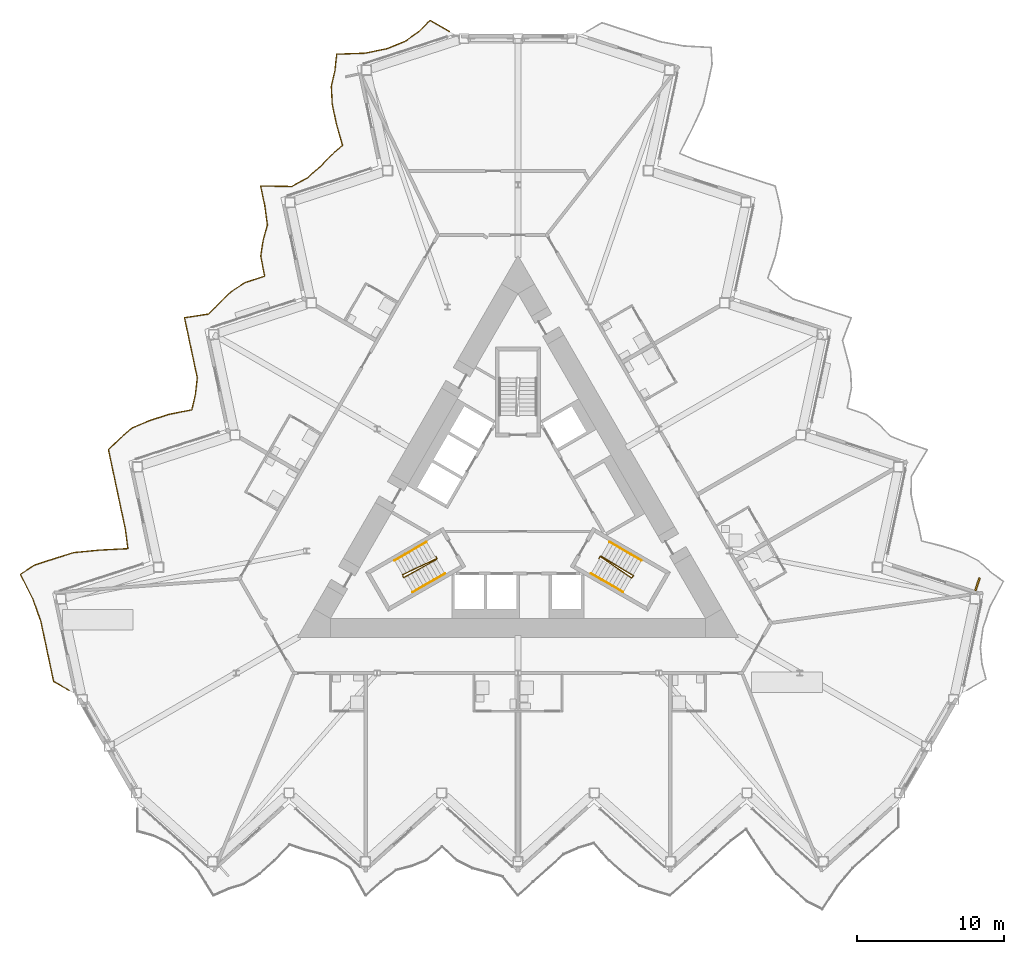
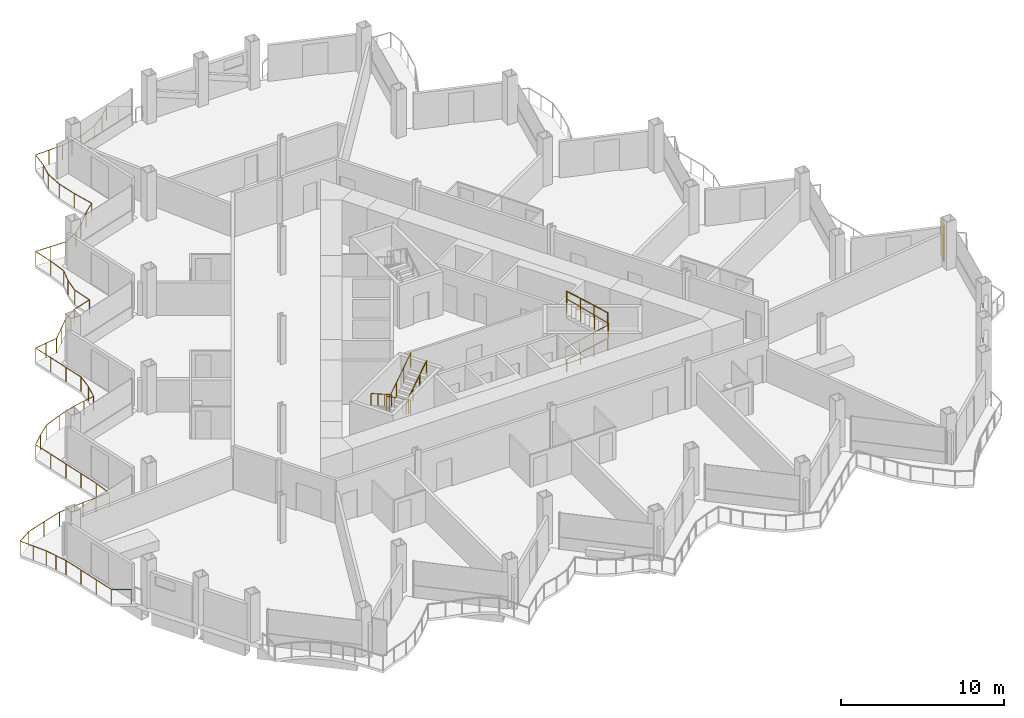
# One storey, part 20 of 24: 7 railings, 1 shading device.
"""IFC4 building model written with IfcOpenShell, lengths in metres."""

from ifc_helpers import new_model, si_unit, direction, frame, origin, origin_2d, place, context, subcontext, project, spatial, rectangle, circle, extrude, material, layer, layer_set, type_object, element, save


model = new_model("IFC4")

# Units and contexts
model_context = context("Model", 3, precision=1e-05, world=origin(), true_north=direction((0.0, 1.0)))
body_context = subcontext(model_context, "Body", "Model", "MODEL_VIEW")
ifc_project = project(units=[si_unit("LENGTHUNIT", "METRE"), si_unit("AREAUNIT", "SQUARE_METRE"), si_unit("VOLUMEUNIT", "CUBIC_METRE"), si_unit("PLANEANGLEUNIT", "RADIAN"), si_unit("MASSUNIT", "GRAM", prefix="KILO")], contexts=[model_context])

# Site, building, storey
site_placement = place(None, origin())
site = spatial("IfcSite", under=ifc_project, at=site_placement, CompositionType="ELEMENT")
building_placement = place(site_placement, origin())
building = spatial("IfcBuilding", under=site, at=building_placement, Name="Cormorant Prow Tower", CompositionType="ELEMENT")
storey_placement = place(building_placement, frame((0.0, 0.0, 231.0)))
storey = spatial("IfcBuildingStorey", under=building, at=storey_placement, Name="L50", CompositionType="ELEMENT", Elevation=231.0)

# Railings
ifc_material_1 = material(Name="Aluminium 6063-T6", Category="aluminium")
railing_type_1 = type_object("IfcRailingType", Name="Balcony guard 1100", PredefinedType="GUARDRAIL", material=ifc_material_1)
railing_1_placement = place(storey_placement, frame((-4.653076171875, 32.54638671875, 0.0)))
element("IfcRailing", 1, at=railing_1_placement, inside=storey, type_object=railing_type_1, Name="Balcony guard WNW", PredefinedType="GUARDRAIL", context=body_context, shape_type="SweptSolid", body=[
    extrude(circle(Radius=0.02392578125, at=origin_2d()), frame((0.0, 0.0, 1.076171875), z_axis=(-0.866030456496, 0.499991248344, 0.0), x_axis=(-0.499991248344, -0.866030456496, 0.0)), (0.0, 0.0, 1.0), 1.52001953125),
    extrude(circle(Radius=0.02392578125, at=origin_2d()), frame((-1.31640625, 0.760009765625, 1.076171875), z_axis=(-0.709948130497, -0.704253968398, 0.0), x_axis=(0.704253968398, -0.709948130497, 0.0)), (0.0, 0.0, 1.0), 1.07177734375),
    extrude(circle(Radius=0.02392578125, at=origin_2d()), frame((-2.077392578125, 0.005126953125, 1.076171875), z_axis=(-0.81387858122, -0.581034986065, 0.0), x_axis=(0.581034986065, -0.81387858122, 0.0)), (0.0, 0.0, 1.0), 1.136474609375),
    extrude(circle(Radius=0.02392578125, at=origin_2d()), frame((-3.00244140625, -0.6552734375, 1.076171875), z_axis=(-0.924048758749, -0.382274628316, 0.0), x_axis=(0.382274628316, -0.924048758749, 0.0)), (0.0, 0.0, 1.0), 1.30419921875),
    extrude(circle(Radius=0.02392578125, at=origin_2d()), frame((-4.20751953125, -1.15380859375, 1.076171875), z_axis=(-0.978951631347, -0.204092389574, 0.0), x_axis=(0.204092389574, -0.978951631347, 0.0)), (0.0, 0.0, 1.0), 1.552734375),
    extrude(circle(Radius=0.02392578125, at=origin_2d()), frame((-5.7275390625, -1.470703125, 1.076171875), z_axis=(-0.99935805819, -0.0358255709, 0.0), x_axis=(0.0358255709, -0.99935805819, 0.0)), (0.0, 0.0, 1.0), 1.948974609375),
    extrude(circle(Radius=0.02392578125, at=origin_2d()), frame((-7.67529296875, -1.54052734375, 1.076171875), z_axis=(-0.105481989889, -0.994421213475, 0.0), x_axis=(0.994421213475, -0.105481989889, 0.0)), (0.0, 0.0, 1.0), 1.1318359375),
    extrude(circle(Radius=0.02392578125, at=origin_2d()), frame((-7.794677734375, -2.666015625, 1.076171875), z_axis=(-0.227943707868, -0.9736743121, 0.0), x_axis=(0.9736743121, -0.227943707868, 0.0)), (0.0, 0.0, 1.0), 1.080810546875),
    extrude(circle(Radius=0.02392578125, at=origin_2d()), frame((-8.041015625, -3.71826171875, 1.076171875), z_axis=(0.052454940014, -0.998623291972, 0.0), x_axis=(0.998623291972, 0.052454940014, 0.0)), (0.0, 0.0, 1.0), 1.2333984375),
    extrude(circle(Radius=0.02392578125, at=origin_2d()), frame((-7.976318359375, -4.949951171875, 1.076171875), z_axis=(0.207839876658, -0.978162862549, 0.0), x_axis=(0.978162862549, 0.207839876658, 0.0)), (0.0, 0.0, 1.0), 1.39208984375),
    extrude(circle(Radius=0.02392578125, at=origin_2d()), frame((-7.68701171875, -6.3115234375, 1.076171875), z_axis=(0.275132806715, -0.961406229785, 0.0), x_axis=(0.961406229785, 0.275132806715, 0.0)), (0.0, 0.0, 1.0), 1.488037109375),
    extrude(circle(Radius=0.02392578125, at=origin_2d()), frame((-7.277587890625, -7.7421875, 1.076171875), z_axis=(-0.753489023011, -0.65746048718, 0.0), x_axis=(0.65746048718, -0.753489023011, 0.0)), (0.0, 0.0, 1.0), 1.09326171875),
    extrude(circle(Radius=0.02392578125, at=origin_2d()), frame((-8.101318359375, -8.4609375, 1.076171875), z_axis=(-0.693813337766, -0.720154880798, 0.0), x_axis=(0.720154880798, -0.693813337766, 0.0)), (0.0, 0.0, 1.0), 1.06591796875),
    extrude(circle(Radius=0.02392578125, at=origin_2d()), frame((-8.8408203125, -9.228515625, 1.076171875), z_axis=(-0.754509398833, -0.656289240405, 0.0), x_axis=(0.656289240405, -0.754509398833, 0.0)), (0.0, 0.0, 1.0), 1.09375),
    extrude(circle(Radius=0.02392578125, at=origin_2d()), frame((-9.666015625, -9.9462890625, 1.076171875), z_axis=(-0.875052262884, -0.484028446706, 0.0), x_axis=(0.484028446706, -0.875052262884, 0.0)), (0.0, 0.0, 1.0), 1.20751953125),
    extrude(circle(Radius=0.02392578125, at=origin_2d()), frame((-10.72265625, -10.53076171875, 1.076171875), z_axis=(-0.999884971682, 0.015167181827, 0.0), x_axis=(-0.015167181827, -0.999884971682, 0.0)), (0.0, 0.0, 1.0), 2.124755859375),
    extrude(circle(Radius=0.02392578125, at=origin_2d()), frame((-12.84716796875, -10.49853515625, 1.076171875), z_axis=(0.207839876658, -0.978162862549, 0.0), x_axis=(0.978162862549, 0.207839876658, 0.0)), (0.0, 0.0, 1.0), 1.39208984375),
    extrude(circle(Radius=0.02392578125, at=origin_2d()), frame((-12.557861328125, -11.860107421875, 1.076171875), z_axis=(0.132384177483, -0.991198481411, 0.0), x_axis=(0.991198481411, 0.132384177483, 0.0)), (0.0, 0.0, 1.0), 1.3056640625),
    extrude(circle(Radius=0.02392578125, at=origin_2d()), frame((-12.385009765625, -13.154296875, 1.076171875), z_axis=(-0.271063528875, -0.962561459499, 0.0), x_axis=(0.962561459499, -0.271063528875, 0.0)), (0.0, 0.0, 1.0), 1.0673828125),
    extrude(circle(Radius=0.02392578125, at=origin_2d()), frame((-12.67431640625, -14.181640625, 1.076171875), z_axis=(-0.145936226657, -0.989293999653, 0.0), x_axis=(0.989293999653, -0.145936226657, 0.0)), (0.0, 0.0, 1.0), 1.112548828125),
    extrude(circle(Radius=0.02392578125, at=origin_2d()), frame((-12.836669921875, -15.2822265625, 1.076171875), z_axis=(0.194408701463, -0.980920616969, 0.0), x_axis=(0.980920616969, 0.194408701463, 0.0)), (0.0, 0.0, 1.0), 1.375),
    extrude(circle(Radius=0.02392578125, at=origin_2d()), frame((-12.5693359375, -16.631103515625, 1.076171875), z_axis=(-0.951110082856, -0.308852084807, 0.0), x_axis=(0.308852084807, -0.951110082856, 0.0)), (0.0, 0.0, 1.0), 1.39208984375),
    extrude(circle(Radius=0.02392578125, at=origin_2d()), frame((-13.893310546875, -17.06103515625, 1.076171875), z_axis=(-0.83799137087, -0.545683481835, 0.0), x_axis=(0.545683481835, -0.83799137087, 0.0)), (0.0, 0.0, 1.0), 1.16015625),
    extrude(circle(Radius=0.02392578125, at=origin_2d()), frame((-14.865478515625, -17.694091796875, 1.076171875), z_axis=(-0.709267259523, -0.704939681511, 0.0), x_axis=(0.704939681511, -0.709267259523, 0.0)), (0.0, 0.0, 1.0), 1.07177734375),
    extrude(circle(Radius=0.02392578125, at=origin_2d()), frame((-15.625732421875, -18.44970703125, 1.076171875), z_axis=(-0.710627202132, -0.703568745462, 0.0), x_axis=(0.703568745462, -0.710627202132, 0.0)), (0.0, 0.0, 1.0), 1.072265625),
    extrude(circle(Radius=0.02392578125, at=origin_2d()), frame((-16.3876953125, -19.2041015625, 1.076171875), z_axis=(-0.988237955064, -0.152923981673, 0.0), x_axis=(0.152923981673, -0.988237955064, 0.0)), (0.0, 0.0, 1.0), 1.65087890625),
    extrude(circle(Radius=0.02392578125, at=origin_2d()), frame((-18.01904296875, -19.45654296875, 1.076171875), z_axis=(0.207839876658, -0.978162862549, 0.0), x_axis=(0.978162862549, 0.207839876658, 0.0)), (0.0, 0.0, 1.0), 1.39208984375),
    extrude(circle(Radius=0.02392578125, at=origin_2d()), frame((-17.729736328125, -20.818115234375, 1.076171875), z_axis=(0.207875540112, -0.978155284105, 0.0), x_axis=(0.978155284105, 0.207875540112, 0.0)), (0.0, 0.0, 1.0), 1.391845703125),
    extrude(circle(Radius=0.02392578125, at=origin_2d()), frame((-17.4404296875, -22.179443359375, 1.076171875), z_axis=(0.207839876658, -0.978162862549, 0.0), x_axis=(0.978162862549, 0.207839876658, 0.0)), (0.0, 0.0, 1.0), 1.39208984375),
    extrude(circle(Radius=0.02392578125, at=origin_2d()), frame((-17.151123046875, -23.541015625, 1.076171875), z_axis=(-0.110716329171, -0.993852048574, 0.0), x_axis=(0.993852048574, -0.110716329171, 0.0)), (0.0, 0.0, 1.0), 1.12890625),
    extrude(circle(Radius=0.02392578125, at=origin_2d()), frame((-17.276123046875, -24.6630859375, 1.076171875), z_axis=(-0.22645869975, -0.974020768417, 0.0), x_axis=(0.974020768417, -0.22645869975, 0.0)), (0.0, 0.0, 1.0), 1.081298828125),
    extrude(circle(Radius=0.02392578125, at=origin_2d()), frame((-17.52099609375, -25.71630859375, 1.076171875), z_axis=(-0.981319493384, -0.192385165501, 0.0), x_axis=(0.192385165501, -0.981319493384, 0.0)), (0.0, 0.0, 1.0), 1.573486328125),
    extrude(circle(Radius=0.02392578125, at=origin_2d()), frame((-19.065185546875, -26.01904296875, 1.076171875), z_axis=(-0.951041802481, -0.30906227517, 0.0), x_axis=(0.30906227517, -0.951041802481, 0.0)), (0.0, 0.0, 1.0), 1.391845703125),
    extrude(circle(Radius=0.02392578125, at=origin_2d()), frame((-20.388916015625, -26.44921875, 1.076171875), z_axis=(-0.922670967492, -0.385588233414, 0.0), x_axis=(0.385588233414, -0.922670967492, 0.0)), (0.0, 0.0, 1.0), 1.300537109375),
    extrude(circle(Radius=0.02392578125, at=origin_2d()), frame((-21.5888671875, -26.95068359375, 1.076171875), z_axis=(-0.752258281375, -0.658868331385, 0.0), x_axis=(0.658868331385, -0.752258281375, 0.0)), (0.0, 0.0, 1.0), 1.0927734375),
    extrude(circle(Radius=0.02392578125, at=origin_2d()), frame((-22.410888671875, -27.670654296875, 1.076171875), z_axis=(-0.723669142106, -0.69014706604, 0.0), x_axis=(0.69014706604, -0.723669142106, 0.0)), (0.0, 0.0, 1.0), 1.077880859375),
    extrude(circle(Radius=0.02392578125, at=origin_2d()), frame((-23.19091796875, -28.41455078125, 1.076171875), z_axis=(0.207875540112, -0.978155284105, 0.0), x_axis=(0.978155284105, 0.207875540112, 0.0)), (0.0, 0.0, 1.0), 1.391845703125),
    extrude(circle(Radius=0.02392578125, at=origin_2d()), frame((-22.901611328125, -29.77587890625, 1.076171875), z_axis=(0.207839876658, -0.978162862549, 0.0), x_axis=(0.978162862549, 0.207839876658, 0.0)), (0.0, 0.0, 1.0), 1.39208984375),
    extrude(circle(Radius=0.02392578125, at=origin_2d()), frame((-22.6123046875, -31.137451171875, 1.076171875), z_axis=(0.207839876658, -0.978162862549, 0.0), x_axis=(0.978162862549, 0.207839876658, 0.0)), (0.0, 0.0, 1.0), 1.39208984375),
    extrude(circle(Radius=0.02392578125, at=origin_2d()), frame((-22.322998046875, -32.4990234375, 1.076171875), z_axis=(0.208007683287, -0.978127191982, 0.0), x_axis=(0.978127191982, 0.208007683287, 0.0)), (0.0, 0.0, 1.0), 1.39208984375),
    extrude(circle(Radius=0.02392578125, at=origin_2d()), frame((-22.033447265625, -33.860595703125, 1.076171875), z_axis=(0.128304635075, -0.991734803573, 0.0), x_axis=(0.991734803573, 0.128304635075, 0.0)), (0.0, 0.0, 1.0), 1.301513671875),
    extrude(circle(Radius=0.02392578125, at=origin_2d()), frame((-21.866455078125, -35.1513671875, 1.076171875), z_axis=(-0.998723398703, -0.05051309616, 0.0), x_axis=(0.05051309616, -0.998723398703, 0.0)), (0.0, 0.0, 1.0), 1.904296875),
    extrude(circle(Radius=0.02392578125, at=origin_2d()), frame((-23.768310546875, -35.24755859375, 1.076171875), z_axis=(-0.995416306258, -0.09563669398, 0.0), x_axis=(0.09563669398, -0.995416306258, 0.0)), (0.0, 0.0, 1.0), 1.78173828125),
    extrude(circle(Radius=0.02392578125, at=origin_2d()), frame((-25.5419921875, -35.41796875, 1.076171875), z_axis=(-0.954501595477, -0.298205808516, 0.0), x_axis=(0.298205808516, -0.954501595477, 0.0)), (0.0, 0.0, 1.0), 1.406494140625),
    extrude(circle(Radius=0.02392578125, at=origin_2d()), frame((-26.884521484375, -35.83740234375, 1.076171875), z_axis=(-0.951093348811, -0.308903612552, 0.0), x_axis=(0.308903612552, -0.951093348811, 0.0)), (0.0, 0.0, 1.0), 1.391845703125),
    extrude(circle(Radius=0.02392578125, at=origin_2d()), frame((-28.208251953125, -36.267333984375, 1.076171875), z_axis=(-0.835569946969, -0.549384076692, 0.0), x_axis=(0.549384076692, -0.835569946969, 0.0)), (0.0, 0.0, 1.0), 1.15771484375),
    extrude(circle(Radius=0.02392578125, at=origin_2d()), frame((-29.175537109375, -36.9033203125, 1.076171875), z_axis=(0.451494885501, -0.892273707091, 0.0), x_axis=(0.892273707091, 0.451494885501, 0.0)), (0.0, 0.0, 1.0), 1.890869140625),
    extrude(circle(Radius=0.02392578125, at=origin_2d()), frame((-28.32177734375, -38.590576171875, 1.076171875), z_axis=(0.336413821049, -0.94171425656, 0.0), x_axis=(0.94171425656, 0.336413821049, 0.0)), (0.0, 0.0, 1.0), 1.59814453125),
    extrude(circle(Radius=0.02392578125, at=origin_2d()), frame((-27.7841796875, -40.095458984375, 1.076171875), z_axis=(0.207839876658, -0.978162862549, 0.0), x_axis=(0.978162862549, 0.207839876658, 0.0)), (0.0, 0.0, 1.0), 1.39208984375),
    extrude(circle(Radius=0.02392578125, at=origin_2d()), frame((-27.494873046875, -41.45703125, 1.076171875), z_axis=(0.208007683287, -0.978127191982, 0.0), x_axis=(0.978127191982, 0.208007683287, 0.0)), (0.0, 0.0, 1.0), 1.39208984375),
    extrude(circle(Radius=0.02392578125, at=origin_2d()), frame((-27.205322265625, -42.818603515625, 1.076171875), z_axis=(0.207875540112, -0.978155284105, 0.0), x_axis=(0.978155284105, 0.207875540112, 0.0)), (0.0, 0.0, 1.0), 1.391845703125),
    extrude(circle(Radius=0.02392578125, at=origin_2d()), frame((-26.916015625, -44.179931640625, 1.076171875), z_axis=(0.866005645448, -0.500034220881, 0.0), x_axis=(0.500034220881, 0.866005645448, 0.0)), (0.0, 0.0, 1.0), 1.22021484375),
    extrude(circle(Radius=0.02099609375, at=origin_2d()), origin(), (0.0, 0.0, 1.0), 1.052001953125),
    extrude(circle(Radius=0.02099609375, at=origin_2d()), frame((-0.658203125, 0.3798828125, 0.0)), (0.0, 0.0, 1.0), 1.052001953125),
    extrude(circle(Radius=0.02099609375, at=origin_2d()), frame((-1.31640625, 0.760009765625, 0.0)), (0.0, 0.0, 1.0), 1.052001953125),
    extrude(circle(Radius=0.02099609375, at=origin_2d()), frame((-2.077392578125, 0.005126953125, 0.0)), (0.0, 0.0, 1.0), 1.052001953125),
    extrude(circle(Radius=0.02099609375, at=origin_2d()), frame((-3.00244140625, -0.6552734375, 0.0)), (0.0, 0.0, 1.0), 1.052001953125),
    extrude(circle(Radius=0.02099609375, at=origin_2d()), frame((-4.20751953125, -1.15380859375, 0.0)), (0.0, 0.0, 1.0), 1.052001953125),
    extrude(circle(Radius=0.02099609375, at=origin_2d()), frame((-4.967529296875, -1.312255859375, 0.0)), (0.0, 0.0, 1.0), 1.052001953125),
    extrude(circle(Radius=0.02099609375, at=origin_2d()), frame((-5.7275390625, -1.470703125, 0.0)), (0.0, 0.0, 1.0), 1.052001953125),
    extrude(circle(Radius=0.02099609375, at=origin_2d()), frame((-6.701416015625, -1.505615234375, 0.0)), (0.0, 0.0, 1.0), 1.052001953125),
    extrude(circle(Radius=0.02099609375, at=origin_2d()), frame((-7.67529296875, -1.54052734375, 0.0)), (0.0, 0.0, 1.0), 1.052001953125),
    extrude(circle(Radius=0.02099609375, at=origin_2d()), frame((-7.794677734375, -2.666015625, 0.0)), (0.0, 0.0, 1.0), 1.052001953125),
    extrude(circle(Radius=0.02099609375, at=origin_2d()), frame((-8.041015625, -3.71826171875, 0.0)), (0.0, 0.0, 1.0), 1.052001953125),
    extrude(circle(Radius=0.02099609375, at=origin_2d()), frame((-7.976318359375, -4.949951171875, 0.0)), (0.0, 0.0, 1.0), 1.052001953125),
    extrude(circle(Radius=0.02099609375, at=origin_2d()), frame((-7.68701171875, -6.3115234375, 0.0)), (0.0, 0.0, 1.0), 1.052001953125),
    extrude(circle(Radius=0.02099609375, at=origin_2d()), frame((-7.277587890625, -7.7421875, 0.0)), (0.0, 0.0, 1.0), 1.052001953125),
    extrude(circle(Radius=0.02099609375, at=origin_2d()), frame((-8.101318359375, -8.4609375, 0.0)), (0.0, 0.0, 1.0), 1.052001953125),
    extrude(circle(Radius=0.02099609375, at=origin_2d()), frame((-8.8408203125, -9.228515625, 0.0)), (0.0, 0.0, 1.0), 1.052001953125),
    extrude(circle(Radius=0.02099609375, at=origin_2d()), frame((-9.666015625, -9.9462890625, 0.0)), (0.0, 0.0, 1.0), 1.052001953125),
    extrude(circle(Radius=0.02099609375, at=origin_2d()), frame((-10.72265625, -10.53076171875, 0.0)), (0.0, 0.0, 1.0), 1.052001953125),
    extrude(circle(Radius=0.02099609375, at=origin_2d()), frame((-11.784912109375, -10.5146484375, 0.0)), (0.0, 0.0, 1.0), 1.052001953125),
    extrude(circle(Radius=0.02099609375, at=origin_2d()), frame((-12.84716796875, -10.49853515625, 0.0)), (0.0, 0.0, 1.0), 1.052001953125),
    extrude(circle(Radius=0.02099609375, at=origin_2d()), frame((-12.557861328125, -11.860107421875, 0.0)), (0.0, 0.0, 1.0), 1.052001953125),
    extrude(circle(Radius=0.02099609375, at=origin_2d()), frame((-12.385009765625, -13.154296875, 0.0)), (0.0, 0.0, 1.0), 1.052001953125),
    extrude(circle(Radius=0.02099609375, at=origin_2d()), frame((-12.67431640625, -14.181640625, 0.0)), (0.0, 0.0, 1.0), 1.052001953125),
    extrude(circle(Radius=0.02099609375, at=origin_2d()), frame((-12.836669921875, -15.2822265625, 0.0)), (0.0, 0.0, 1.0), 1.052001953125),
    extrude(circle(Radius=0.02099609375, at=origin_2d()), frame((-12.5693359375, -16.631103515625, 0.0)), (0.0, 0.0, 1.0), 1.052001953125),
    extrude(circle(Radius=0.02099609375, at=origin_2d()), frame((-13.893310546875, -17.06103515625, 0.0)), (0.0, 0.0, 1.0), 1.052001953125),
    extrude(circle(Radius=0.02099609375, at=origin_2d()), frame((-14.865478515625, -17.694091796875, 0.0)), (0.0, 0.0, 1.0), 1.052001953125),
    extrude(circle(Radius=0.02099609375, at=origin_2d()), frame((-15.625732421875, -18.44970703125, 0.0)), (0.0, 0.0, 1.0), 1.052001953125),
    extrude(circle(Radius=0.02099609375, at=origin_2d()), frame((-16.3876953125, -19.2041015625, 0.0)), (0.0, 0.0, 1.0), 1.052001953125),
    extrude(circle(Radius=0.02099609375, at=origin_2d()), frame((-17.203369140625, -19.330322265625, 0.0)), (0.0, 0.0, 1.0), 1.052001953125),
    extrude(circle(Radius=0.02099609375, at=origin_2d()), frame((-18.01904296875, -19.45654296875, 0.0)), (0.0, 0.0, 1.0), 1.052001953125),
    extrude(circle(Radius=0.02099609375, at=origin_2d()), frame((-17.729736328125, -20.818115234375, 0.0)), (0.0, 0.0, 1.0), 1.052001953125),
    extrude(circle(Radius=0.02099609375, at=origin_2d()), frame((-17.4404296875, -22.179443359375, 0.0)), (0.0, 0.0, 1.0), 1.052001953125),
    extrude(circle(Radius=0.02099609375, at=origin_2d()), frame((-17.151123046875, -23.541015625, 0.0)), (0.0, 0.0, 1.0), 1.052001953125),
    extrude(circle(Radius=0.02099609375, at=origin_2d()), frame((-17.276123046875, -24.6630859375, 0.0)), (0.0, 0.0, 1.0), 1.052001953125),
    extrude(circle(Radius=0.02099609375, at=origin_2d()), frame((-17.52099609375, -25.71630859375, 0.0)), (0.0, 0.0, 1.0), 1.052001953125),
    extrude(circle(Radius=0.02099609375, at=origin_2d()), frame((-18.29296875, -25.86767578125, 0.0)), (0.0, 0.0, 1.0), 1.052001953125),
    extrude(circle(Radius=0.02099609375, at=origin_2d()), frame((-19.065185546875, -26.01904296875, 0.0)), (0.0, 0.0, 1.0), 1.052001953125),
    extrude(circle(Radius=0.02099609375, at=origin_2d()), frame((-20.388916015625, -26.44921875, 0.0)), (0.0, 0.0, 1.0), 1.052001953125),
    extrude(circle(Radius=0.02099609375, at=origin_2d()), frame((-21.5888671875, -26.95068359375, 0.0)), (0.0, 0.0, 1.0), 1.052001953125),
    extrude(circle(Radius=0.02099609375, at=origin_2d()), frame((-22.410888671875, -27.670654296875, 0.0)), (0.0, 0.0, 1.0), 1.052001953125),
    extrude(circle(Radius=0.02099609375, at=origin_2d()), frame((-23.19091796875, -28.41455078125, 0.0)), (0.0, 0.0, 1.0), 1.052001953125),
    extrude(circle(Radius=0.02099609375, at=origin_2d()), frame((-22.901611328125, -29.77587890625, 0.0)), (0.0, 0.0, 1.0), 1.052001953125),
    extrude(circle(Radius=0.02099609375, at=origin_2d()), frame((-22.6123046875, -31.137451171875, 0.0)), (0.0, 0.0, 1.0), 1.052001953125),
    extrude(circle(Radius=0.02099609375, at=origin_2d()), frame((-22.322998046875, -32.4990234375, 0.0)), (0.0, 0.0, 1.0), 1.052001953125),
    extrude(circle(Radius=0.02099609375, at=origin_2d()), frame((-22.033447265625, -33.860595703125, 0.0)), (0.0, 0.0, 1.0), 1.052001953125),
    extrude(circle(Radius=0.02099609375, at=origin_2d()), frame((-21.866455078125, -35.1513671875, 0.0)), (0.0, 0.0, 1.0), 1.052001953125),
    extrude(circle(Radius=0.02099609375, at=origin_2d()), frame((-22.8173828125, -35.199462890625, 0.0)), (0.0, 0.0, 1.0), 1.052001953125),
    extrude(circle(Radius=0.02099609375, at=origin_2d()), frame((-23.768310546875, -35.24755859375, 0.0)), (0.0, 0.0, 1.0), 1.052001953125),
    extrude(circle(Radius=0.02099609375, at=origin_2d()), frame((-24.6552734375, -35.332763671875, 0.0)), (0.0, 0.0, 1.0), 1.052001953125),
    extrude(circle(Radius=0.02099609375, at=origin_2d()), frame((-25.5419921875, -35.41796875, 0.0)), (0.0, 0.0, 1.0), 1.052001953125),
    extrude(circle(Radius=0.02099609375, at=origin_2d()), frame((-26.884521484375, -35.83740234375, 0.0)), (0.0, 0.0, 1.0), 1.052001953125),
    extrude(circle(Radius=0.02099609375, at=origin_2d()), frame((-28.208251953125, -36.267333984375, 0.0)), (0.0, 0.0, 1.0), 1.052001953125),
    extrude(circle(Radius=0.02099609375, at=origin_2d()), frame((-29.175537109375, -36.9033203125, 0.0)), (0.0, 0.0, 1.0), 1.052001953125),
    extrude(circle(Radius=0.02099609375, at=origin_2d()), frame((-28.74853515625, -37.7470703125, 0.0)), (0.0, 0.0, 1.0), 1.052001953125),
    extrude(circle(Radius=0.02099609375, at=origin_2d()), frame((-28.32177734375, -38.590576171875, 0.0)), (0.0, 0.0, 1.0), 1.052001953125),
    extrude(circle(Radius=0.02099609375, at=origin_2d()), frame((-28.052978515625, -39.343017578125, 0.0)), (0.0, 0.0, 1.0), 1.052001953125),
    extrude(circle(Radius=0.02099609375, at=origin_2d()), frame((-27.7841796875, -40.095458984375, 0.0)), (0.0, 0.0, 1.0), 1.052001953125),
    extrude(circle(Radius=0.02099609375, at=origin_2d()), frame((-27.494873046875, -41.45703125, 0.0)), (0.0, 0.0, 1.0), 1.052001953125),
    extrude(circle(Radius=0.02099609375, at=origin_2d()), frame((-27.205322265625, -42.818603515625, 0.0)), (0.0, 0.0, 1.0), 1.052001953125),
    extrude(circle(Radius=0.02099609375, at=origin_2d()), frame((-26.916015625, -44.179931640625, 0.0)), (0.0, 0.0, 1.0), 1.052001953125),
    extrude(circle(Radius=0.02099609375, at=origin_2d()), frame((-25.859375, -44.7900390625, 0.0)), (0.0, 0.0, 1.0), 1.052001953125),
])
ifc_material_2 = material(Name="Stainless steel", Category="steel")
railing_type_2 = type_object("IfcRailingType", Name="Stair guard 1100", PredefinedType="GUARDRAIL", material=ifc_material_2)
railing_2_placement = place(storey_placement, frame((-5.585205078125, -3.137939453125, 0.0)))
element("IfcRailing", 2, at=railing_2_placement, inside=storey, type_object=railing_type_2, Name="L50 ST1 stair guard 1", PredefinedType="GUARDRAIL", context=body_context, shape_type="SweptSolid", body=[
    extrude(circle(Radius=0.02392578125, at=origin_2d()), frame((0.0, 0.0, 1.076171875), z_axis=(0.501036270542, -0.865426285481, 0.0), x_axis=(0.865426285481, 0.501036270542, 0.0)), (0.0, 0.0, 1.0), 0.150146484375),
    extrude(circle(Radius=0.02392578125, at=origin_2d()), frame((0.0751953125, -0.1298828125, 1.076171875), z_axis=(-0.739707038506, -0.353624380995, 0.572523619033), x_axis=(0.431308035802, -0.902204731895, 0.0)), (0.0, 0.0, 1.0), 3.14404296875),
    extrude(circle(Radius=0.02392578125, at=origin_2d()), frame((-2.25048828125, -1.24169921875, 2.8759765625), z_axis=(0.274721127897, -0.961523947641, 0.0), x_axis=(0.961523947641, 0.274721127897, 0.0)), (0.0, 0.0, 1.0), 0.2060546875),
    extrude(circle(Radius=0.02392578125, at=origin_2d()), frame((-2.19384765625, -1.43994140625, 2.8759765625), z_axis=(0.717223475266, 0.39568267656, 0.573607623727), x_axis=(-0.483052234887, 0.87559153626, 0.0)), (0.0, 0.0, 1.0), 3.13818359375),
    extrude(circle(Radius=0.02099609375, at=origin_2d()), origin(), (0.0, 0.0, 1.0), 1.052001953125),
    extrude(circle(Radius=0.02099609375, at=origin_2d()), frame((0.0751953125, -0.1298828125, 0.0)), (0.0, 0.0, 1.0), 1.052001953125),
    extrude(circle(Radius=0.02099609375, at=origin_2d()), frame((-0.699951171875, -0.50048828125, 0.60009765625)), (0.0, 0.0, 1.0), 1.052001953125),
    extrude(circle(Radius=0.02099609375, at=origin_2d()), frame((-1.475341796875, -0.87109375, 1.199951171875)), (0.0, 0.0, 1.0), 1.052001953125),
    extrude(circle(Radius=0.02099609375, at=origin_2d()), frame((-2.25048828125, -1.24169921875, 1.800048828125)), (0.0, 0.0, 1.0), 1.052001953125),
    extrude(circle(Radius=0.02099609375, at=origin_2d()), frame((-2.19384765625, -1.43994140625, 1.800048828125)), (0.0, 0.0, 1.0), 1.052001953125),
    extrude(circle(Radius=0.02099609375, at=origin_2d()), frame((-1.443603515625, -1.026123046875, 2.400146484375)), (0.0, 0.0, 1.0), 1.052001953125),
    extrude(circle(Radius=0.02099609375, at=origin_2d()), frame((-0.693359375, -0.612060546875, 3.0)), (0.0, 0.0, 1.0), 1.052001953125),
    extrude(circle(Radius=0.02099609375, at=origin_2d()), frame((0.056884765625, -0.1982421875, 3.60009765625)), (0.0, 0.0, 1.0), 1.052001953125),
])
railing_3_placement = place(storey_placement, frame((5.510009765625, -3.267822265625, 0.0)))
element("IfcRailing", 3, at=railing_3_placement, inside=storey, type_object=railing_type_2, Name="L50 ST2 stair guard 1", PredefinedType="GUARDRAIL", context=body_context, shape_type="SweptSolid", body=[
    extrude(circle(Radius=0.02392578125, at=origin_2d()), frame((0.0, 0.0, 1.076171875), z_axis=(0.501036270542, 0.865426285481, 0.0), x_axis=(-0.865426285481, 0.501036270542, 0.0)), (0.0, 0.0, 1.0), 0.150146484375),
    extrude(circle(Radius=0.02392578125, at=origin_2d()), frame((0.0751953125, 0.1298828125, 1.076171875), z_axis=(0.676058237057, -0.463829066155, 0.572545070276), x_axis=(0.565732651216, 0.824588726183, 0.0)), (0.0, 0.0, 1.0), 3.14404296875),
    extrude(circle(Radius=0.02392578125, at=origin_2d()), frame((2.20068359375, -1.328369140625, 2.8759765625), z_axis=(0.695164929852, 0.718850276695, 0.0), x_axis=(-0.718850276695, 0.695164929852, 0.0)), (0.0, 0.0, 1.0), 0.2060546875),
    extrude(circle(Radius=0.02392578125, at=origin_2d()), frame((2.343994140625, -1.18017578125, 2.8759765625), z_axis=(-0.70127624584, 0.423301980654, 0.573608804147), x_axis=(-0.516770599887, -0.856123908726, 0.0)), (0.0, 0.0, 1.0), 3.13818359375),
    extrude(circle(Radius=0.02099609375, at=origin_2d()), origin(), (0.0, 0.0, 1.0), 1.052001953125),
    extrude(circle(Radius=0.02099609375, at=origin_2d()), frame((0.0751953125, 0.1298828125, 0.0)), (0.0, 0.0, 1.0), 1.052001953125),
    extrude(circle(Radius=0.02099609375, at=origin_2d()), frame((0.78369140625, -0.356201171875, 0.60009765625)), (0.0, 0.0, 1.0), 1.052001953125),
    extrude(circle(Radius=0.02099609375, at=origin_2d()), frame((1.4921875, -0.84228515625, 1.199951171875)), (0.0, 0.0, 1.0), 1.052001953125),
    extrude(circle(Radius=0.02099609375, at=origin_2d()), frame((2.20068359375, -1.328369140625, 1.800048828125)), (0.0, 0.0, 1.0), 1.052001953125),
    extrude(circle(Radius=0.02099609375, at=origin_2d()), frame((2.343994140625, -1.18017578125, 1.800048828125)), (0.0, 0.0, 1.0), 1.052001953125),
    extrude(circle(Radius=0.02099609375, at=origin_2d()), frame((1.6103515625, -0.7373046875, 2.400146484375)), (0.0, 0.0, 1.0), 1.052001953125),
    extrude(circle(Radius=0.02099609375, at=origin_2d()), frame((0.876953125, -0.294677734375, 3.0)), (0.0, 0.0, 1.0), 1.052001953125),
    extrude(circle(Radius=0.02099609375, at=origin_2d()), frame((0.143310546875, 0.148193359375, 3.60009765625)), (0.0, 0.0, 1.0), 1.052001953125),
])
ifc_material_3 = material(Name="Stainless steel", Category="steel")
railing_type_3 = type_object("IfcRailingType", Name="Stair handrail 900", PredefinedType="HANDRAIL", material=ifc_material_3)
railing_4_placement = place(storey_placement, frame((-6.212890625, -2.150634765625, 0.179931640625)))
element("IfcRailing", 4, at=railing_4_placement, inside=storey, type_object=railing_type_3, Name="L50 ST1 stair handrail 1", PredefinedType="HANDRAIL", context=body_context, shape_type="SweptSolid", body=[
    extrude(circle(Radius=0.02392578125, at=origin_2d()), frame((0.0, 0.0, 0.8759765625), z_axis=(-0.728463801763, -0.420584145978, 0.540785970299), x_axis=(0.500004791531, -0.866022637375, 0.0)), (0.0, 0.0, 1.0), 2.995849609375),
    extrude(circle(Radius=0.02099609375, at=origin_2d()), origin(), (0.0, 0.0, 1.0), 0.851806640625),
    extrude(circle(Radius=0.02099609375, at=origin_2d()), frame((-0.7275390625, -0.419921875, 0.5400390625)), (0.0, 0.0, 1.0), 0.851806640625),
    extrude(circle(Radius=0.02099609375, at=origin_2d()), frame((-1.454833984375, -0.840087890625, 1.080078125)), (0.0, 0.0, 1.0), 0.851806640625),
    extrude(circle(Radius=0.02099609375, at=origin_2d()), frame((-2.182373046875, -1.260009765625, 1.6201171875)), (0.0, 0.0, 1.0), 0.851806640625),
])
railing_5_placement = place(storey_placement, frame((-7.1513671875, -5.565185546875, 1.97998046875)))
element("IfcRailing", 5, at=railing_5_placement, inside=storey, type_object=railing_type_3, Name="L50 ST1 stair handrail 2", PredefinedType="HANDRAIL", context=body_context, shape_type="SweptSolid", body=[
    extrude(circle(Radius=0.02392578125, at=origin_2d()), frame((0.0, 0.0, 0.8759765625), z_axis=(0.728463801763, 0.420584145978, 0.540785970299), x_axis=(-0.500004791531, 0.866022637375, 0.0)), (0.0, 0.0, 1.0), 2.995849609375),
    extrude(circle(Radius=0.02099609375, at=origin_2d()), origin(), (0.0, 0.0, 1.0), 0.851806640625),
    extrude(circle(Radius=0.02099609375, at=origin_2d()), frame((0.7275390625, 0.419921875, 0.5400390625)), (0.0, 0.0, 1.0), 0.851806640625),
    extrude(circle(Radius=0.02099609375, at=origin_2d()), frame((1.454833984375, 0.840087890625, 1.080078125)), (0.0, 0.0, 1.0), 0.851806640625),
    extrude(circle(Radius=0.02099609375, at=origin_2d()), frame((2.182373046875, 1.260009765625, 1.6201171875)), (0.0, 0.0, 1.0), 0.851806640625),
])
railing_6_placement = place(storey_placement, frame((4.968994140625, -4.30517578125, 0.179931640625)))
element("IfcRailing", 6, at=railing_6_placement, inside=storey, type_object=railing_type_3, Name="L50 ST2 stair handrail 1", PredefinedType="HANDRAIL", context=body_context, shape_type="SweptSolid", body=[
    extrude(circle(Radius=0.02392578125, at=origin_2d()), frame((0.0, 0.0, 0.8759765625), z_axis=(0.728463801763, -0.420584145978, 0.540785970299), x_axis=(0.500004791531, 0.866022637375, 0.0)), (0.0, 0.0, 1.0), 2.995849609375),
    extrude(circle(Radius=0.02099609375, at=origin_2d()), origin(), (0.0, 0.0, 1.0), 0.851806640625),
    extrude(circle(Radius=0.02099609375, at=origin_2d()), frame((0.7275390625, -0.419921875, 0.5400390625)), (0.0, 0.0, 1.0), 0.851806640625),
    extrude(circle(Radius=0.02099609375, at=origin_2d()), frame((1.454833984375, -0.840087890625, 1.080078125)), (0.0, 0.0, 1.0), 0.851806640625),
    extrude(circle(Radius=0.02099609375, at=origin_2d()), frame((2.182373046875, -1.260009765625, 1.6201171875)), (0.0, 0.0, 1.0), 0.851806640625),
])
railing_7_placement = place(storey_placement, frame((8.395263671875, -3.41064453125, 1.97998046875)))
element("IfcRailing", 7, at=railing_7_placement, inside=storey, type_object=railing_type_3, Name="L50 ST2 stair handrail 2", PredefinedType="HANDRAIL", context=body_context, shape_type="SweptSolid", body=[
    extrude(circle(Radius=0.02392578125, at=origin_2d()), frame((0.0, 0.0, 0.8759765625), z_axis=(-0.728463801763, 0.420584145978, 0.540785970299), x_axis=(-0.500004791531, -0.866022637375, 0.0)), (0.0, 0.0, 1.0), 2.995849609375),
    extrude(circle(Radius=0.02099609375, at=origin_2d()), origin(), (0.0, 0.0, 1.0), 0.851806640625),
    extrude(circle(Radius=0.02099609375, at=origin_2d()), frame((-0.7275390625, 0.419921875, 0.5400390625)), (0.0, 0.0, 1.0), 0.851806640625),
    extrude(circle(Radius=0.02099609375, at=origin_2d()), frame((-1.454833984375, 0.840087890625, 1.080078125)), (0.0, 0.0, 1.0), 0.851806640625),
    extrude(circle(Radius=0.02099609375, at=origin_2d()), frame((-2.182373046875, 1.260009765625, 1.6201171875)), (0.0, 0.0, 1.0), 0.851806640625),
])

# Shading device
ifc_material_4 = material(Name="Terracotta", Category="masonry")
ifc_layer = layer(ifc_material_4, 0.1201171875)
ifc_layer_set = layer_set([ifc_layer], Name="Terracotta")
shading_device_type = type_object("IfcShadingDeviceType", Name="Terracotta baguette fin 120x900x2600", PredefinedType="USERDEFINED", material=ifc_layer_set)
shading_device_placement = place(storey_placement, frame((31.23583984375, -5.02490234375, 0.0), z_axis=(0.0, 0.0, 1.0), x_axis=(-0.951056543985, 0.309016909155, 0.0)))
element("IfcShadingDevice", 8, at=shading_device_placement, inside=storey, type_object=shading_device_type, Name="Baguette fin ENE01", ObjectType="BAGUETTE", PredefinedType="USERDEFINED", context=body_context, shape_type="SweptSolid", body=[
    extrude(rectangle(XDim=0.1201171875, YDim=0.89990234375, at=origin_2d()), origin(), (0.0, 0.0, 1.0), 2.60009765625),
])

save(model, "model.ifc")
